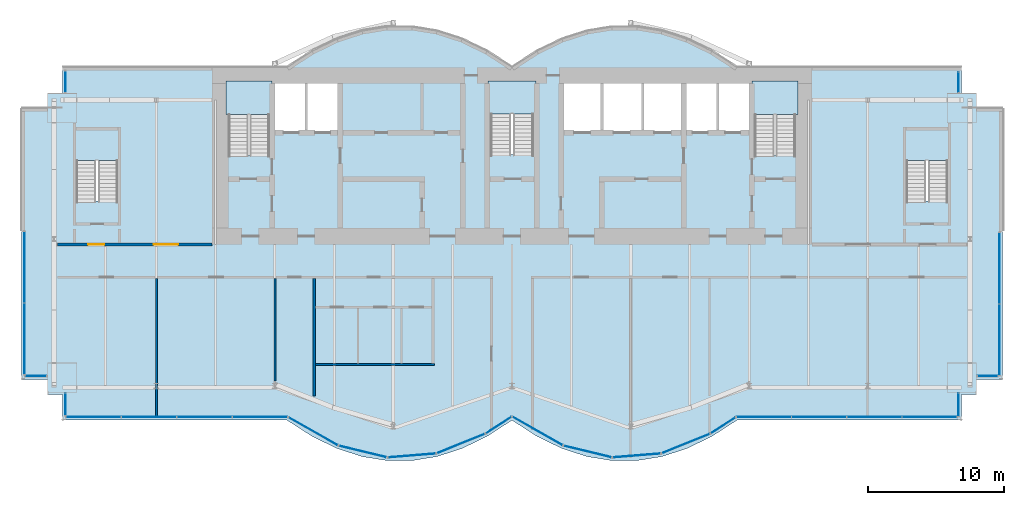
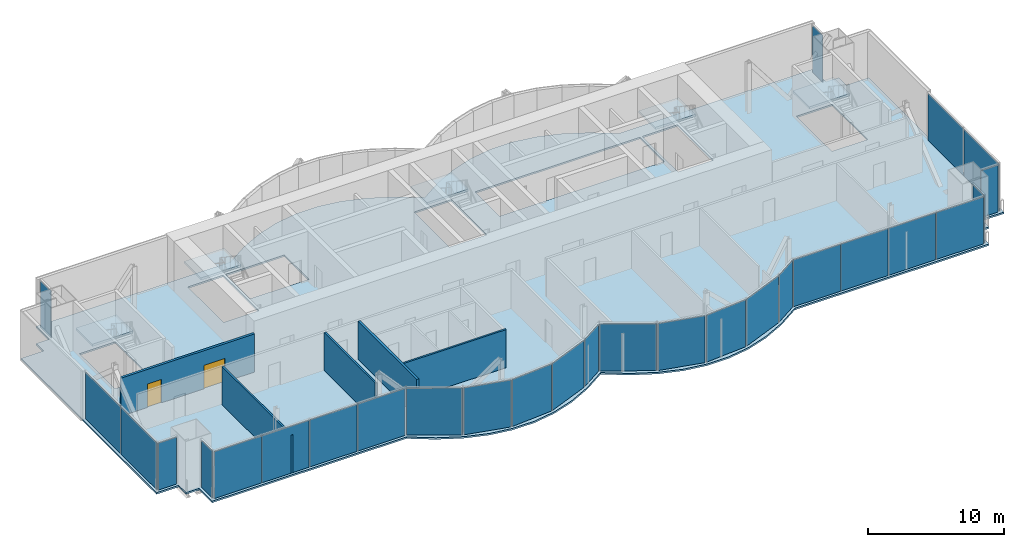
# One storey, part 10 of 17: 28 plates, 6 slabs, 5 walls, 2 doors, 2 openings, 17 elements without a shape of their own.
"""IFC4 building model written with IfcOpenShell, lengths in metres."""

from ifc_helpers import new_model, si_unit, direction, frame, frame_2d, origin, origin_2d, place, context, subcontext, project, spatial, polyline, rectangle, outline, extrude, material, layer, layer_set, type_object, element, fill, aggregate, save


model = new_model("IFC4")

# Units and contexts
model_context = context("Model", 3, precision=1e-05, world=origin(), true_north=direction((0.0, 1.0)))
body_context = subcontext(model_context, "Body", "Model", "MODEL_VIEW")
ifc_project = project(units=[si_unit("LENGTHUNIT", "METRE"), si_unit("AREAUNIT", "SQUARE_METRE"), si_unit("VOLUMEUNIT", "CUBIC_METRE"), si_unit("PLANEANGLEUNIT", "RADIAN"), si_unit("MASSUNIT", "GRAM", prefix="KILO")], contexts=[model_context])

# Site, building, storey
site_placement = place(None, origin())
site = spatial("IfcSite", under=ifc_project, at=site_placement, CompositionType="ELEMENT")
building_placement = place(site_placement, origin())
building = spatial("IfcBuilding", under=site, at=building_placement, Name="Bicima Exchange Tower", CompositionType="ELEMENT")
storey_placement = place(building_placement, frame((0.0, 0.0, 320.0)))
storey = spatial("IfcBuildingStorey", under=building, at=storey_placement, Name="L72", CompositionType="ELEMENT", Elevation=320.0)

# Slab
ifc_material_1 = material(Name="Concrete C40/50", Category="concrete")
ifc_layer_1 = layer(ifc_material_1, 0.14990234375)
ifc_layer_set_1 = layer_set([ifc_layer_1], Name="Concrete C40/50")
slab_type_1 = type_object("IfcSlabType", Name="Composite floor slab 150", PredefinedType="FLOOR", material=ifc_layer_set_1)
slab_1_placement = place(storey_placement, frame((0.0, 0.0, -0.14990234375)))
element("IfcSlab", 1, at=slab_1_placement, inside=storey, type_object=slab_type_1, Name="Floor slab", PredefinedType="FLOOR", context=body_context, shape_type="SweptSolid", body=[
    extrude(outline(polyline([(-36.0, -22.89599609375), (-36.0, -3.0), (-34.10009765625, -3.0), (-34.10009765625, -1.89990234375), (-33.0, -1.89990234375), (-33.0, 0.0), (-16.5, 0.0), (-14.666748046875, 1.185302734375), (-12.833251953125, 2.07421875), (-11.0, 2.666748046875), (-9.166748046875, 2.962890625), (-7.333251953125, 2.962890625), (-5.5, 2.666748046875), (-3.666748046875, 2.07421875), (-1.833251953125, 1.185302734375), (0.0, 0.0), (1.833251953125, 1.185302734375), (3.666748046875, 2.07421875), (5.5, 2.666748046875), (7.333251953125, 2.962890625), (9.166748046875, 2.962890625), (11.0, 2.666748046875), (12.833251953125, 2.07421875), (14.666748046875, 1.185302734375), (16.5, 0.0), (33.0, 0.0), (33.0, -1.89990234375), (34.10009765625, -1.89990234375), (34.10009765625, -3.0), (36.0, -3.0), (36.0, -22.89599609375), (34.10009765625, -22.89599609375), (34.10009765625, -23.99609375), (33.0, -23.99609375), (33.0, -25.89599609375), (16.5, -25.89599609375), (14.666748046875, -27.081298828125), (12.833251953125, -27.97021484375), (11.0, -28.562744140625), (9.166748046875, -28.85888671875), (7.333251953125, -28.85888671875), (5.5, -28.562744140625), (3.666748046875, -27.97021484375), (1.833251953125, -27.081298828125), (0.0, -25.89599609375), (-1.833251953125, -27.081298828125), (-3.666748046875, -27.97021484375), (-5.5, -28.562744140625), (-7.333251953125, -28.85888671875), (-9.166748046875, -28.85888671875), (-11.0, -28.562744140625), (-12.833251953125, -27.97021484375), (-14.666748046875, -27.081298828125), (-16.5, -25.89599609375), (-33.0, -25.89599609375), (-33.0, -23.99609375), (-34.10009765625, -23.99609375), (-34.10009765625, -22.89599609375), (-36.0, -22.89599609375)]), holes=[polyline([(-28.925048828125, -9.824951171875), (-28.925048828125, -4.625), (-31.97509765625, -4.625), (-31.97509765625, -9.824951171875), (-28.925048828125, -9.824951171875)]), polyline([(-20.800048828125, -6.449951171875), (-17.800048828125, -6.449951171875), (-17.800048828125, -1.199951171875), (-20.800048828125, -1.199951171875), (-20.800048828125, -6.449951171875)]), polyline([(-1.574951171875, -6.39990234375), (1.574951171875, -6.39990234375), (1.574951171875, -1.199951171875), (-1.574951171875, -1.199951171875), (-1.574951171875, -6.39990234375)]), polyline([(-12.60009765625, -1.199951171875), (-15.10009765625, -1.199951171875), (-17.60009765625, -1.199951171875), (-17.60009765625, -4.800048828125), (-15.10009765625, -4.800048828125), (-12.60009765625, -4.800048828125), (-12.60009765625, -1.199951171875)]), polyline([(3.60009765625, -4.800048828125), (6.60009765625, -4.800048828125), (9.60009765625, -4.800048828125), (12.60009765625, -4.800048828125), (15.10009765625, -4.800048828125), (17.60009765625, -4.800048828125), (17.60009765625, -1.199951171875), (15.10009765625, -1.199951171875), (12.60009765625, -1.199951171875), (9.60009765625, -1.199951171875), (6.60009765625, -1.199951171875), (3.60009765625, -1.199951171875), (3.60009765625, -4.800048828125)]), polyline([(31.97509765625, -9.824951171875), (31.97509765625, -4.625), (28.925048828125, -4.625), (28.925048828125, -9.824951171875), (31.97509765625, -9.824951171875)]), polyline([(17.800048828125, -6.449951171875), (20.800048828125, -6.449951171875), (20.800048828125, -1.199951171875), (17.800048828125, -1.199951171875), (17.800048828125, -6.449951171875)])]), origin(), (0.0, 0.0, 1.0), 0.14990234375),
])

# Curtain wall, plate
ifc_material_2 = material(Name="Anodised bronze aluminium", Category="aluminium")
curtain_wall_type_1 = type_object("IfcCurtainWallType", Name="End face glass wall", PredefinedType="NOTDEFINED", material=ifc_material_2)
curtain_wall_1_placement = place(storey_placement, origin())
curtain_wall_1 = element("IfcCurtainWall", 2, at=curtain_wall_1_placement, inside=storey, type_object=curtain_wall_type_1, Name="End face glass wall L72 run 2", PredefinedType="NOTDEFINED")
ifc_material_3 = material(Name="Bronze tinted glass", Category="glass")
ifc_layer_2 = layer(ifc_material_3, 0.031982421875)
ifc_layer_set_2 = layer_set([ifc_layer_2], Name="Bronze tinted glass")
plate_type_1 = type_object("IfcPlateType", Name="End face glass wall glass panel 32", PredefinedType="CURTAIN_PANEL", material=ifc_layer_set_2)
plate_1_placement = place(storey_placement, frame((-35.77001953125, -19.924560546875, 0.0), z_axis=(0.0, 0.0, 1.0), x_axis=(0.0, -1.0, 0.0)))
plate_1 = element("IfcPlate", 3, at=plate_1_placement, type_object=plate_type_1, Name="End face glass wall panel 2.1", PredefinedType="CURTAIN_PANEL", context=body_context, shape_type="SweptSolid", body=[
    extrude(rectangle(XDim=5.202880859375, YDim=0.031982421875, at=origin_2d()), origin(), (0.0, 0.0, 1.0), 4.2099609375),
])

curtain_wall_2_placement = place(storey_placement, origin())
curtain_wall_2 = element("IfcCurtainWall", 4, at=curtain_wall_2_placement, inside=storey, type_object=curtain_wall_type_1, Name="End face glass wall L72 run 19", PredefinedType="NOTDEFINED")
plate_2_placement = place(storey_placement, frame((35.77001953125, -20.00439453125, 0.0), z_axis=(0.0, 0.0, 1.0), x_axis=(0.0, 1.0, 0.0)))
plate_2 = element("IfcPlate", 5, at=plate_2_placement, type_object=plate_type_1, Name="End face glass wall panel 1.1", PredefinedType="CURTAIN_PANEL", context=body_context, shape_type="SweptSolid", body=[
    extrude(rectangle(XDim=5.202880859375, YDim=0.031982421875, at=origin_2d()), origin(), (0.0, 0.0, 1.0), 4.2099609375),
])

# Plate
ifc_material_4 = material(Name="Bronze anodised aluminium", Category="aluminium")
ifc_layer_3 = layer(ifc_material_4, 0.031982421875)
ifc_layer_set_3 = layer_set([ifc_layer_3], Name="Bronze anodised aluminium")
plate_type_2 = type_object("IfcPlateType", Name="End face glass wall spandrel panel 32", PredefinedType="CURTAIN_PANEL", material=ifc_layer_set_3)
plate_3_placement = place(storey_placement, frame((-35.77001953125, -14.66162109375, 0.0), z_axis=(0.0, 0.0, 1.0), x_axis=(0.0, -1.0, 0.0)))
plate_3 = element("IfcPlate", 6, at=plate_3_placement, type_object=plate_type_2, Name="End face spandrel wall panel 1.1", PredefinedType="CURTAIN_PANEL", context=body_context, shape_type="SweptSolid", body=[
    extrude(rectangle(XDim=5.202880859375, YDim=0.031982421875, at=origin_2d()), origin(), (0.0, 0.0, 1.0), 4.2099609375),
])

aggregate(curtain_wall_1, [plate_3, plate_1])

plate_4_placement = place(storey_placement, frame((35.77001953125, -14.741455078125, 0.0), z_axis=(0.0, 0.0, 1.0), x_axis=(0.0, 1.0, 0.0)))
plate_4 = element("IfcPlate", 7, at=plate_4_placement, type_object=plate_type_2, Name="End face spandrel wall panel 2.1", PredefinedType="CURTAIN_PANEL", context=body_context, shape_type="SweptSolid", body=[
    extrude(rectangle(XDim=5.202880859375, YDim=0.031982421875, at=origin_2d()), origin(), (0.0, 0.0, 1.0), 4.2099609375),
])

aggregate(curtain_wall_2, [plate_2, plate_4])

# Curtain wall, plate
curtain_wall_type_2 = type_object("IfcCurtainWallType", Name="Front glass wall", PredefinedType="NOTDEFINED", material=ifc_material_2)
curtain_wall_3_placement = place(storey_placement, origin())
curtain_wall_3 = element("IfcCurtainWall", 8, at=curtain_wall_3_placement, inside=storey, type_object=curtain_wall_type_2, Name="Front glass wall L72 run 1", PredefinedType="NOTDEFINED")
ifc_layer_4 = layer(ifc_material_3, 0.031982421875)
ifc_layer_set_4 = layer_set([ifc_layer_4], Name="Bronze tinted glass")
plate_type_3 = type_object("IfcPlateType", Name="Front glass wall glass panel 32", PredefinedType="CURTAIN_PANEL", material=ifc_layer_set_4)
plate_5_placement = place(storey_placement, frame((-32.77001953125, -1.06494140625, 0.0), z_axis=(0.0, 0.0, 1.0), x_axis=(0.0, -1.0, 0.0)))
plate_5 = element("IfcPlate", 9, at=plate_5_placement, type_object=plate_type_3, Name="Front glass wall panel 1.1", PredefinedType="CURTAIN_PANEL", context=body_context, shape_type="SweptSolid", body=[
    extrude(rectangle(XDim=1.550048828125, YDim=0.031982421875, at=origin_2d()), origin(), (0.0, 0.0, 1.0), 4.2099609375),
])
aggregate(curtain_wall_3, [plate_5])

curtain_wall_4_placement = place(storey_placement, origin())
curtain_wall_4 = element("IfcCurtainWall", 10, at=curtain_wall_4_placement, inside=storey, type_object=curtain_wall_type_2, Name="Front glass wall L72 run 3", PredefinedType="NOTDEFINED")
plate_6_placement = place(storey_placement, frame((-34.93505859375, -22.666015625, 0.0), z_axis=(0.0, 0.0, 1.0), x_axis=(1.0, 0.0, 0.0)))
plate_6 = element("IfcPlate", 11, at=plate_6_placement, type_object=plate_type_3, Name="Front glass wall panel 1.1", PredefinedType="CURTAIN_PANEL", context=body_context, shape_type="SweptSolid", body=[
    extrude(rectangle(XDim=1.550048828125, YDim=0.031982421875, at=origin_2d()), origin(), (0.0, 0.0, 1.0), 4.2099609375),
])
aggregate(curtain_wall_4, [plate_6])

curtain_wall_5_placement = place(storey_placement, origin())
curtain_wall_5 = element("IfcCurtainWall", 12, at=curtain_wall_5_placement, inside=storey, type_object=curtain_wall_type_2, Name="Front glass wall L72 run 4", PredefinedType="NOTDEFINED")
plate_7_placement = place(storey_placement, frame((-32.77001953125, -24.72998046875, 0.0), z_axis=(0.0, 0.0, 1.0), x_axis=(0.0, -1.0, 0.0)))
plate_7 = element("IfcPlate", 13, at=plate_7_placement, type_object=plate_type_3, Name="Front glass wall panel 1.1", PredefinedType="CURTAIN_PANEL", context=body_context, shape_type="SweptSolid", body=[
    extrude(rectangle(XDim=1.592041015625, YDim=0.031982421875, at=origin_2d()), origin(), (0.0, 0.0, 1.0), 4.2099609375),
])
aggregate(curtain_wall_5, [plate_7])

# Curtain wall, plates
curtain_wall_6_placement = place(storey_placement, origin())
curtain_wall_6 = element("IfcCurtainWall", 14, at=curtain_wall_6_placement, inside=storey, type_object=curtain_wall_type_2, Name="Front glass wall L72 run 5", PredefinedType="NOTDEFINED")
plate_8_placement = place(storey_placement, frame((-30.705322265625, -25.666015625, 0.0), z_axis=(0.0, 0.0, 1.0), x_axis=(1.0, 0.0, 0.0)))
plate_8 = element("IfcPlate", 15, at=plate_8_placement, type_object=plate_type_3, Name="Front glass wall panel 1.1", PredefinedType="CURTAIN_PANEL", context=body_context, shape_type="SweptSolid", body=[
    extrude(rectangle(XDim=4.009521484375, YDim=0.031982421875, at=origin_2d()), origin(), (0.0, 0.0, 1.0), 4.2099609375),
])
plate_9_placement = place(storey_placement, frame((-26.6357421875, -25.666015625, 0.0), z_axis=(0.0, 0.0, 1.0), x_axis=(1.0, 0.0, 0.0)))
plate_9 = element("IfcPlate", 16, at=plate_9_placement, type_object=plate_type_3, Name="Front glass wall panel 2.1", PredefinedType="CURTAIN_PANEL", context=body_context, shape_type="SweptSolid", body=[
    extrude(rectangle(XDim=4.009521484375, YDim=0.031982421875, at=origin_2d()), origin(), (0.0, 0.0, 1.0), 4.2099609375),
])
plate_10_placement = place(storey_placement, frame((-22.56640625, -25.666015625, 0.0), z_axis=(0.0, 0.0, 1.0), x_axis=(1.0, 0.0, 0.0)))
plate_10 = element("IfcPlate", 17, at=plate_10_placement, type_object=plate_type_3, Name="Front glass wall panel 3.1", PredefinedType="CURTAIN_PANEL", context=body_context, shape_type="SweptSolid", body=[
    extrude(rectangle(XDim=4.009521484375, YDim=0.031982421875, at=origin_2d()), origin(), (0.0, 0.0, 1.0), 4.2099609375),
])
plate_11_placement = place(storey_placement, frame((-18.496826171875, -25.666015625, 0.0), z_axis=(0.0, 0.0, 1.0), x_axis=(1.0, 0.0, 0.0)))
plate_11 = element("IfcPlate", 18, at=plate_11_placement, type_object=plate_type_3, Name="Front glass wall panel 4.1", PredefinedType="CURTAIN_PANEL", context=body_context, shape_type="SweptSolid", body=[
    extrude(rectangle(XDim=4.009521484375, YDim=0.031982421875, at=origin_2d()), origin(), (0.0, 0.0, 1.0), 4.2099609375),
])
aggregate(curtain_wall_6, [plate_8, plate_9, plate_10, plate_11])

curtain_wall_7_placement = place(storey_placement, origin())
curtain_wall_7 = element("IfcCurtainWall", 19, at=curtain_wall_7_placement, inside=storey, type_object=curtain_wall_type_2, Name="Front glass wall L72 run 6", PredefinedType="NOTDEFINED")
plate_12_placement = place(storey_placement, frame((-10.94775390625, -28.192626953125, 0.0), z_axis=(0.0, 0.0, 1.0), x_axis=(0.971830343553, -0.235681529503, 0.0)))
plate_12 = element("IfcPlate", 20, at=plate_12_placement, type_object=plate_type_3, Name="Front glass wall panel 1.1", PredefinedType="CURTAIN_PANEL", context=body_context, shape_type="SweptSolid", body=[
    extrude(rectangle(XDim=3.583251953125, YDim=0.031982421875, at=origin_2d()), origin(), (0.0, 0.0, 1.0), 4.2099609375),
])
plate_13_placement = place(storey_placement, frame((-7.35107421875, -28.483642578125, 0.0), z_axis=(0.0, 0.0, 1.0), x_axis=(0.99674744821, 0.080588612633, 0.0)))
plate_13 = element("IfcPlate", 21, at=plate_13_placement, type_object=plate_type_3, Name="Front glass wall panel 1.1", PredefinedType="CURTAIN_PANEL", context=body_context, shape_type="SweptSolid", body=[
    extrude(rectangle(XDim=3.486083984375, YDim=0.031982421875, at=origin_2d()), origin(), (0.0, 0.0, 1.0), 4.2099609375),
])
plate_14_placement = place(storey_placement, frame((-3.750244140625, -27.609375, 0.0), z_axis=(0.0, 0.0, 1.0), x_axis=(0.92714396679, 0.374705304, 0.0)))
plate_14 = element("IfcPlate", 22, at=plate_14_placement, type_object=plate_type_3, Name="Front glass wall panel 1.1", PredefinedType="CURTAIN_PANEL", context=body_context, shape_type="SweptSolid", body=[
    extrude(rectangle(XDim=3.771240234375, YDim=0.031982421875, at=origin_2d()), origin(), (0.0, 0.0, 1.0), 4.2099609375),
])
plate_15_placement = place(storey_placement, frame((-0.97314453125, -26.251220703125, 0.0), z_axis=(0.0, 0.0, 1.0), x_axis=(0.839798994301, 0.542897457326, 0.0)))
plate_15 = element("IfcPlate", 23, at=plate_15_placement, type_object=plate_type_3, Name="Front glass wall panel 1.1", PredefinedType="CURTAIN_PANEL", context=body_context, shape_type="SweptSolid", body=[
    extrude(rectangle(XDim=2.197509765625, YDim=0.031982421875, at=origin_2d()), origin(), (0.0, 0.0, 1.0), 4.2099609375),
])

curtain_wall_8_placement = place(storey_placement, origin())
curtain_wall_8 = element("IfcCurtainWall", 24, at=curtain_wall_8_placement, inside=storey, type_object=curtain_wall_type_2, Name="Front glass wall L72 run 11", PredefinedType="NOTDEFINED")
plate_16_placement = place(storey_placement, frame((1.876220703125, -26.689208984375, 0.0), z_axis=(0.0, 0.0, 1.0), x_axis=(0.869274147378, -0.494330311331, 0.0)))
plate_16 = element("IfcPlate", 25, at=plate_16_placement, type_object=plate_type_3, Name="Front glass wall panel 1.1", PredefinedType="CURTAIN_PANEL", context=body_context, shape_type="SweptSolid", body=[
    extrude(rectangle(XDim=4.197021484375, YDim=0.031982421875, at=origin_2d()), origin(), (0.0, 0.0, 1.0), 4.2099609375),
])
plate_17_placement = place(storey_placement, frame((5.55224609375, -28.192626953125, 0.0), z_axis=(0.0, 0.0, 1.0), x_axis=(0.971830343553, -0.235681529503, 0.0)))
plate_17 = element("IfcPlate", 26, at=plate_17_placement, type_object=plate_type_3, Name="Front glass wall panel 1.1", PredefinedType="CURTAIN_PANEL", context=body_context, shape_type="SweptSolid", body=[
    extrude(rectangle(XDim=3.583251953125, YDim=0.031982421875, at=origin_2d()), origin(), (0.0, 0.0, 1.0), 4.2099609375),
])
plate_18_placement = place(storey_placement, frame((9.14892578125, -28.483642578125, 0.0), z_axis=(0.0, 0.0, 1.0), x_axis=(0.99674744821, 0.080588612633, 0.0)))
plate_18 = element("IfcPlate", 27, at=plate_18_placement, type_object=plate_type_3, Name="Front glass wall panel 1.1", PredefinedType="CURTAIN_PANEL", context=body_context, shape_type="SweptSolid", body=[
    extrude(rectangle(XDim=3.486083984375, YDim=0.031982421875, at=origin_2d()), origin(), (0.0, 0.0, 1.0), 4.2099609375),
])
plate_19_placement = place(storey_placement, frame((15.492919921875, -26.273193359375, 0.0), z_axis=(0.0, 0.0, 1.0), x_axis=(0.839791413941, 0.542909183079, 0.0)))
plate_19 = element("IfcPlate", 28, at=plate_19_placement, type_object=plate_type_3, Name="Front glass wall panel 1.1", PredefinedType="CURTAIN_PANEL", context=body_context, shape_type="SweptSolid", body=[
    extrude(rectangle(XDim=2.11669921875, YDim=0.031982421875, at=origin_2d()), origin(), (0.0, 0.0, 1.0), 4.2099609375),
])

curtain_wall_9_placement = place(storey_placement, origin())
curtain_wall_9 = element("IfcCurtainWall", 29, at=curtain_wall_9_placement, inside=storey, type_object=curtain_wall_type_2, Name="Front glass wall L72 run 16", PredefinedType="NOTDEFINED")
plate_20_placement = place(storey_placement, frame((18.48681640625, -25.666015625, 0.0), z_axis=(0.0, 0.0, 1.0), x_axis=(1.0, 0.0, 0.0)))
plate_20 = element("IfcPlate", 30, at=plate_20_placement, type_object=plate_type_3, Name="Front glass wall panel 1.1", PredefinedType="CURTAIN_PANEL", context=body_context, shape_type="SweptSolid", body=[
    extrude(rectangle(XDim=3.989501953125, YDim=0.031982421875, at=origin_2d()), origin(), (0.0, 0.0, 1.0), 4.2099609375),
])
plate_21_placement = place(storey_placement, frame((22.536376953125, -25.666015625, 0.0), z_axis=(0.0, 0.0, 1.0), x_axis=(1.0, 0.0, 0.0)))
plate_21 = element("IfcPlate", 31, at=plate_21_placement, type_object=plate_type_3, Name="Front glass wall panel 2.1", PredefinedType="CURTAIN_PANEL", context=body_context, shape_type="SweptSolid", body=[
    extrude(rectangle(XDim=3.989501953125, YDim=0.031982421875, at=origin_2d()), origin(), (0.0, 0.0, 1.0), 4.2099609375),
])
plate_22_placement = place(storey_placement, frame((26.585693359375, -25.666015625, 0.0), z_axis=(0.0, 0.0, 1.0), x_axis=(1.0, 0.0, 0.0)))
plate_22 = element("IfcPlate", 32, at=plate_22_placement, type_object=plate_type_3, Name="Front glass wall panel 3.1", PredefinedType="CURTAIN_PANEL", context=body_context, shape_type="SweptSolid", body=[
    extrude(rectangle(XDim=3.989501953125, YDim=0.031982421875, at=origin_2d()), origin(), (0.0, 0.0, 1.0), 4.2099609375),
])
plate_23_placement = place(storey_placement, frame((30.63525390625, -25.666015625, 0.0), z_axis=(0.0, 0.0, 1.0), x_axis=(1.0, 0.0, 0.0)))
plate_23 = element("IfcPlate", 33, at=plate_23_placement, type_object=plate_type_3, Name="Front glass wall panel 4.1", PredefinedType="CURTAIN_PANEL", context=body_context, shape_type="SweptSolid", body=[
    extrude(rectangle(XDim=3.989501953125, YDim=0.031982421875, at=origin_2d()), origin(), (0.0, 0.0, 1.0), 4.2099609375),
])
aggregate(curtain_wall_9, [plate_20, plate_21, plate_22, plate_23])

# Curtain wall, plate
curtain_wall_10_placement = place(storey_placement, origin())
curtain_wall_10 = element("IfcCurtainWall", 34, at=curtain_wall_10_placement, inside=storey, type_object=curtain_wall_type_2, Name="Front glass wall L72 run 17", PredefinedType="NOTDEFINED")
plate_24_placement = place(storey_placement, frame((32.77001953125, -24.77001953125, 0.0), z_axis=(0.0, 0.0, 1.0), x_axis=(0.0, 1.0, 0.0)))
plate_24 = element("IfcPlate", 35, at=plate_24_placement, type_object=plate_type_3, Name="Front glass wall panel 1.1", PredefinedType="CURTAIN_PANEL", context=body_context, shape_type="SweptSolid", body=[
    extrude(rectangle(XDim=1.672119140625, YDim=0.031982421875, at=origin_2d()), origin(), (0.0, 0.0, 1.0), 4.2099609375),
])
aggregate(curtain_wall_10, [plate_24])

curtain_wall_11_placement = place(storey_placement, origin())
curtain_wall_11 = element("IfcCurtainWall", 36, at=curtain_wall_11_placement, inside=storey, type_object=curtain_wall_type_2, Name="Front glass wall L72 run 18", PredefinedType="NOTDEFINED")
plate_25_placement = place(storey_placement, frame((34.89501953125, -22.666015625, 0.0), z_axis=(0.0, 0.0, 1.0), x_axis=(1.0, 0.0, 0.0)))
plate_25 = element("IfcPlate", 37, at=plate_25_placement, type_object=plate_type_3, Name="Front glass wall panel 1.1", PredefinedType="CURTAIN_PANEL", context=body_context, shape_type="SweptSolid", body=[
    extrude(rectangle(XDim=1.469970703125, YDim=0.031982421875, at=origin_2d()), origin(), (0.0, 0.0, 1.0), 4.2099609375),
])
aggregate(curtain_wall_11, [plate_25])

curtain_wall_12_placement = place(storey_placement, origin())
curtain_wall_12 = element("IfcCurtainWall", 38, at=curtain_wall_12_placement, inside=storey, type_object=curtain_wall_type_2, Name="Front glass wall L72 run 20", PredefinedType="NOTDEFINED")
plate_26_placement = place(storey_placement, frame((32.77001953125, -1.10498046875, 0.0), z_axis=(0.0, 0.0, 1.0), x_axis=(0.0, 1.0, 0.0)))
plate_26 = element("IfcPlate", 39, at=plate_26_placement, type_object=plate_type_3, Name="Front glass wall panel 1.1", PredefinedType="CURTAIN_PANEL", context=body_context, shape_type="SweptSolid", body=[
    extrude(rectangle(XDim=1.469970703125, YDim=0.031982421875, at=origin_2d()), origin(), (0.0, 0.0, 1.0), 4.2099609375),
])
aggregate(curtain_wall_12, [plate_26])

# Plate
ifc_layer_5 = layer(ifc_material_4, 0.031982421875)
ifc_layer_set_5 = layer_set([ifc_layer_5], Name="Bronze anodised aluminium")
plate_type_4 = type_object("IfcPlateType", Name="Front glass wall spandrel panel 32", PredefinedType="CURTAIN_PANEL", material=ifc_layer_set_5)
plate_27_placement = place(storey_placement, frame((-14.589599609375, -26.711181640625, 0.0), z_axis=(0.0, 0.0, 1.0), x_axis=(0.869805110681, -0.493395449343, 0.0)))
plate_27 = element("IfcPlate", 40, at=plate_27_placement, type_object=plate_type_4, Name="Front spandrel wall panel 1.1", PredefinedType="CURTAIN_PANEL", context=body_context, shape_type="SweptSolid", body=[
    extrude(rectangle(XDim=4.1162109375, YDim=0.031982421875, at=origin_2d()), origin(), (0.0, 0.0, 1.0), 4.2099609375),
])

aggregate(curtain_wall_7, [plate_27, plate_12, plate_13, plate_14, plate_15])

plate_28_placement = place(storey_placement, frame((12.749755859375, -27.609375, 0.0), z_axis=(0.0, 0.0, 1.0), x_axis=(0.92714396679, 0.374705304, 0.0)))
plate_28 = element("IfcPlate", 41, at=plate_28_placement, type_object=plate_type_4, Name="Front spandrel wall panel 1.1", PredefinedType="CURTAIN_PANEL", context=body_context, shape_type="SweptSolid", body=[
    extrude(rectangle(XDim=3.771240234375, YDim=0.031982421875, at=origin_2d()), origin(), (0.0, 0.0, 1.0), 4.2099609375),
])

aggregate(curtain_wall_8, [plate_16, plate_17, plate_18, plate_28, plate_19])

# Stair, slab
ifc_material_5 = material(Name="Concrete C50/60", Category="concrete")
stair_type_1 = type_object("IfcStairType", Name="Exit stair", PredefinedType="HALF_TURN_STAIR", material=ifc_material_5)
stair_1_placement = place(storey_placement, origin())
stair_1 = element("IfcStair", 42, at=stair_1_placement, inside=storey, type_object=stair_type_1, Name="L72 West exit stair", PredefinedType="HALF_TURN_STAIR")
ifc_layer_6 = layer(ifc_material_5, 0.199951171875)
ifc_layer_set_6 = layer_set([ifc_layer_6], Name="Concrete C50/60")
slab_type_2 = type_object("IfcSlabType", Name="Stair landing slab", PredefinedType="LANDING", material=ifc_layer_set_6)
slab_2_placement = place(storey_placement, frame((0.0, 0.0, 2.050048828125)))
slab_2 = element("IfcSlab", 43, at=slab_2_placement, type_object=slab_type_2, Name="ST-W landing 1", PredefinedType="LANDING", context=body_context, shape_type="SweptSolid", body=[
    extrude(outline(polyline([(-17.60009765625, -3.469970703125), (-17.60009765625, -1.0), (-21.0, -1.0), (-21.0, -3.469970703125), (-17.60009765625, -3.469970703125)])), origin(), (0.0, 0.0, 1.0), 0.199951171875),
])
aggregate(stair_1, [slab_2])

stair_type_2 = type_object("IfcStairType", Name="Exit stair 1500", PredefinedType="HALF_TURN_STAIR", material=ifc_material_5)
stair_2_placement = place(storey_placement, origin())
stair_2 = element("IfcStair", 44, at=stair_2_placement, inside=storey, type_object=stair_type_2, Name="L72 Central exit stair", PredefinedType="HALF_TURN_STAIR")
slab_3_placement = place(storey_placement, frame((0.0, 0.0, 2.050048828125)))
slab_3 = element("IfcSlab", 45, at=slab_3_placement, type_object=slab_type_2, Name="ST-C landing 1", PredefinedType="LANDING", context=body_context, shape_type="SweptSolid", body=[
    extrude(outline(polyline([(1.77490234375, -3.419921875), (1.77490234375, -1.0), (-1.77490234375, -1.0), (-1.77490234375, -3.419921875), (1.77490234375, -3.419921875)])), origin(), (0.0, 0.0, 1.0), 0.199951171875),
])
aggregate(stair_2, [slab_3])

stair_3_placement = place(storey_placement, origin())
stair_3 = element("IfcStair", 46, at=stair_3_placement, inside=storey, type_object=stair_type_1, Name="L72 East exit stair", PredefinedType="HALF_TURN_STAIR")
slab_4_placement = place(storey_placement, frame((0.0, 0.0, 2.050048828125)))
slab_4 = element("IfcSlab", 47, at=slab_4_placement, type_object=slab_type_2, Name="ST-E landing 1", PredefinedType="LANDING", context=body_context, shape_type="SweptSolid", body=[
    extrude(outline(polyline([(21.0, -3.469970703125), (21.0, -1.0), (17.60009765625, -1.0), (17.60009765625, -3.469970703125), (21.0, -3.469970703125)])), origin(), (0.0, 0.0, 1.0), 0.199951171875),
])
aggregate(stair_3, [slab_4])

stair_4_placement = place(storey_placement, origin())
stair_4 = element("IfcStair", 48, at=stair_4_placement, inside=storey, type_object=stair_type_1, Name="L72 West end exit stair", PredefinedType="HALF_TURN_STAIR")
slab_5_placement = place(storey_placement, frame((0.0, 0.0, 2.050048828125)))
slab_5 = element("IfcSlab", 49, at=slab_5_placement, type_object=slab_type_2, Name="ST-WW landing 1", PredefinedType="LANDING", context=body_context, shape_type="SweptSolid", body=[
    extrude(outline(polyline([(-28.72509765625, -6.844970703125), (-28.72509765625, -4.425048828125), (-32.175048828125, -4.425048828125), (-32.175048828125, -6.844970703125), (-28.72509765625, -6.844970703125)])), origin(), (0.0, 0.0, 1.0), 0.199951171875),
])
aggregate(stair_4, [slab_5])

stair_5_placement = place(storey_placement, origin())
stair_5 = element("IfcStair", 50, at=stair_5_placement, inside=storey, type_object=stair_type_1, Name="L72 East end exit stair", PredefinedType="HALF_TURN_STAIR")
slab_6_placement = place(storey_placement, frame((0.0, 0.0, 2.050048828125)))
slab_6 = element("IfcSlab", 51, at=slab_6_placement, type_object=slab_type_2, Name="ST-EE landing 1", PredefinedType="LANDING", context=body_context, shape_type="SweptSolid", body=[
    extrude(outline(polyline([(32.175048828125, -6.844970703125), (32.175048828125, -4.425048828125), (28.72509765625, -4.425048828125), (28.72509765625, -6.844970703125), (32.175048828125, -6.844970703125)])), origin(), (0.0, 0.0, 1.0), 0.199951171875),
])
aggregate(stair_5, [slab_6])

# Wall, openings, doors
ifc_material_6 = material(Name="Gypsum board partition")
ifc_layer_7 = layer(ifc_material_6, 0.199951171875)
ifc_layer_set_7 = layer_set([ifc_layer_7], Name="Gypsum board partition")
wall_type_1 = type_object("IfcWallType", Name="Fire-rated gypsum partition 200 EI60", PredefinedType="PARTITIONING", material=ifc_layer_set_7)
wall_1_placement = place(storey_placement, frame((-33.340087890625, -13.0, 0.0), z_axis=(0.0, 0.0, 1.0), x_axis=(1.0, 0.0, 0.0)))
wall_1 = element("IfcWall", 52, at=wall_1_placement, inside=storey, type_object=wall_type_1, Name="partition wall 5", PredefinedType="PARTITIONING", context=body_context, shape_type="SweptSolid", body=[
    extrude(rectangle(XDim=11.340087890625, YDim=0.199951171875, at=frame_2d((5.669921875, 0.0))), origin(), (0.0, 0.0, 1.0), 3.418212890625),
])
opening_1_placement = place(wall_1_placement, frame((2.239990234375, 0.0, 0.0)))
opening_1 = element("IfcOpeningElement", 53, at=opening_1_placement, cuts=wall_1, Name="Opening L72-001", PredefinedType="OPENING", context=body_context, shape_type="SweptSolid", body=[
    extrude(rectangle(XDim=1.199951171875, YDim=2.10009765625, at=frame_2d((0.60009765625, 1.050048828125))), frame((0.0, 0.11181640625, 0.0), z_axis=(0.0, -1.0, 0.0), x_axis=(1.0, 0.0, 0.0)), (0.0, 0.0, 1.0), 0.223876953125),
])
opening_2_placement = place(wall_1_placement, frame((7.0400390625, 0.0, 0.0)))
opening_2 = element("IfcOpeningElement", 54, at=opening_2_placement, cuts=wall_1, Name="Opening L72-005", PredefinedType="OPENING", context=body_context, shape_type="SweptSolid", body=[
    extrude(rectangle(XDim=1.800048828125, YDim=2.10009765625, at=frame_2d((0.89990234375, 1.050048828125))), frame((0.0, 0.11181640625, 0.0), z_axis=(0.0, -1.0, 0.0), x_axis=(1.0, 0.0, 0.0)), (0.0, 0.0, 1.0), 0.223876953125),
])
ifc_material_7 = material(Name="Steel fire door leaf", Category="steel")
door_type_1 = type_object("IfcDoorType", Name="Door 1200 swing FD30S", OperationType="SINGLE_SWING_LEFT", PredefinedType="DOOR", material=ifc_material_7)
door_1_placement = place(opening_1_placement, origin())
door_1 = element("IfcDoor", 55, at=door_1_placement, inside=storey, type_object=door_type_1, Name="Door", OperationType="SINGLE_SWING_LEFT", OverallHeight=2.10009765625, OverallWidth=1.199951171875, PredefinedType="DOOR", context=body_context, shape_type="SweptSolid", body=[
    extrude(rectangle(XDim=1.199951171875, YDim=2.10009765625, at=frame_2d((0.60009765625, 1.050048828125))), frame((0.0, 0.02490234375, 0.0), z_axis=(0.0, -1.0, 0.0), x_axis=(1.0, 0.0, 0.0)), (0.0, 0.0, 1.0), 0.050048828125),
])
fill(opening_1, door_1)
door_type_2 = type_object("IfcDoorType", Name="Door 1800 double swing FD30S", OperationType="DOUBLE_DOOR_SINGLE_SWING", PredefinedType="DOOR", material=ifc_material_7)
door_2_placement = place(opening_2_placement, origin())
door_2 = element("IfcDoor", 56, at=door_2_placement, inside=storey, type_object=door_type_2, Name="Door", OperationType="SINGLE_SWING_LEFT", OverallHeight=2.10009765625, OverallWidth=1.800048828125, PredefinedType="DOOR", context=body_context, shape_type="SweptSolid", body=[
    extrude(rectangle(XDim=1.800048828125, YDim=2.10009765625, at=frame_2d((0.89990234375, 1.050048828125))), frame((0.0, 0.02490234375, 0.0), z_axis=(0.0, -1.0, 0.0), x_axis=(1.0, 0.0, 0.0)), (0.0, 0.0, 1.0), 0.050048828125),
])
fill(opening_2, door_2)

# Walls
wall_2_placement = place(storey_placement, frame((-14.5, -24.1298828125, 0.0), z_axis=(0.0, 0.0, 1.0), x_axis=(0.0, 1.0, 0.0)))
element("IfcWall", 57, at=wall_2_placement, inside=storey, type_object=wall_type_1, Name="partition wall 15", PredefinedType="PARTITIONING", context=body_context, shape_type="SweptSolid", body=[
    extrude(rectangle(XDim=8.6298828125, YDim=0.199951171875, at=frame_2d((4.31494140625, 0.0))), origin(), (0.0, 0.0, 1.0), 3.418212890625),
])
ifc_layer_8 = layer(ifc_material_6, 0.14990234375)
ifc_layer_set_8 = layer_set([ifc_layer_8], Name="Gypsum board partition")
wall_type_2 = type_object("IfcWallType", Name="Gypsum partition 150", PredefinedType="PARTITIONING", material=ifc_layer_set_8)
wall_3_placement = place(storey_placement, frame((-14.39990234375, -21.800048828125, 0.0), z_axis=(0.0, 0.0, 1.0), x_axis=(1.0, 0.0, 0.0)))
element("IfcWall", 58, at=wall_3_placement, inside=storey, type_object=wall_type_2, Name="partition wall 1", PredefinedType="PARTITIONING", context=body_context, shape_type="SweptSolid", body=[
    extrude(rectangle(XDim=8.699951171875, YDim=0.14990234375, at=frame_2d((4.35009765625, 0.0))), origin(), (0.0, 0.0, 1.0), 3.418212890625),
])
wall_4_placement = place(storey_placement, frame((-26.10009765625, -25.68994140625, 0.0), z_axis=(0.0, 0.0, 1.0), x_axis=(0.0, 1.0, 0.0)))
element("IfcWall", 59, at=wall_4_placement, inside=storey, type_object=wall_type_2, Name="partition wall 13", PredefinedType="PARTITIONING", context=body_context, shape_type="SweptSolid", body=[
    extrude(rectangle(XDim=10.18994140625, YDim=0.14990234375, at=frame_2d((5.094970703125, 0.0))), origin(), (0.0, 0.0, 1.0), 3.418212890625),
])
wall_5_placement = place(storey_placement, frame((-17.39990234375, -23.008056640625, 0.0), z_axis=(0.0, 0.0, 1.0), x_axis=(0.0, 1.0, 0.0)))
element("IfcWall", 60, at=wall_5_placement, inside=storey, type_object=wall_type_2, Name="partition wall 14", PredefinedType="PARTITIONING", context=body_context, shape_type="SweptSolid", body=[
    extrude(rectangle(XDim=7.508056640625, YDim=0.14990234375, at=frame_2d((3.75390625, 0.0))), origin(), (0.0, 0.0, 1.0), 3.418212890625),
])

save(model, "model.ifc")
